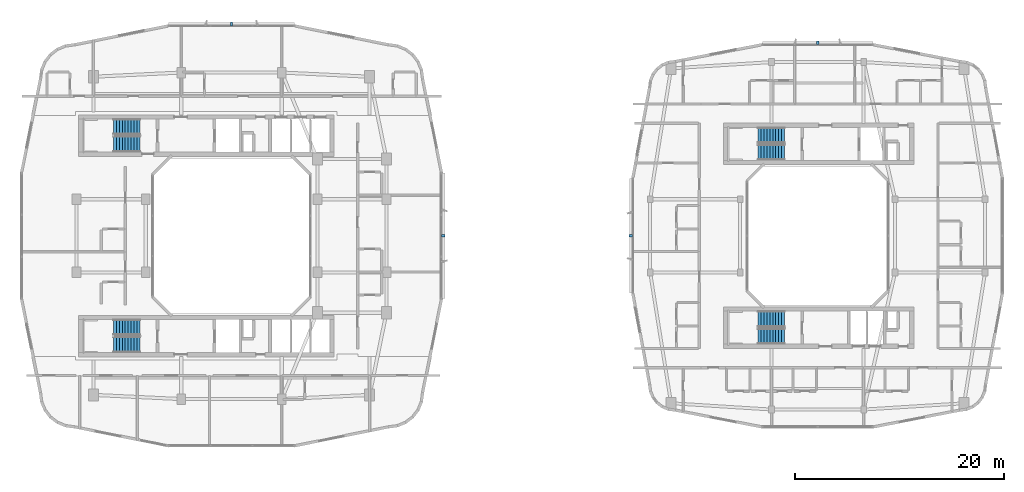
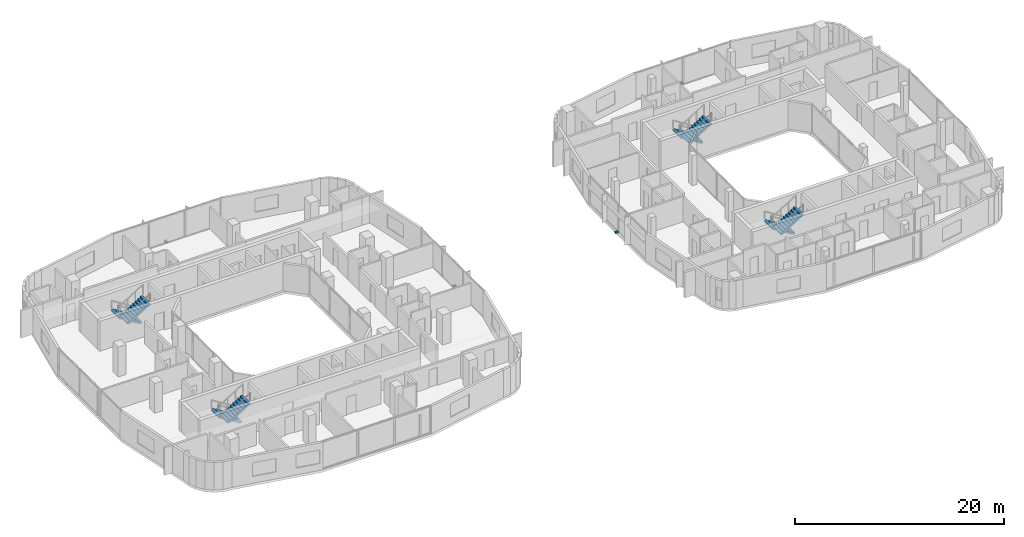
# One storey, part 21 of 26: 8 stair flights, 4 discrete accessories, 4 elements without a shape of their own.
"""IFC4 building model written with IfcOpenShell, lengths in metres."""

from ifc_helpers import new_model, si_unit, derived_unit, direction, frame, origin, origin_2d, place, context, subcontext, project, spatial, polyline, rectangle, outline, extrude, material, type_object, element, aggregate, save


model = new_model("IFC4")

# Units and contexts
model_context = context("Model", 3, precision=1e-05, world=origin(), true_north=direction((0.0, 1.0)))
body_context = subcontext(model_context, "Body", "Model", "MODEL_VIEW")
ifc_project = project(units=[si_unit("LENGTHUNIT", "METRE"), si_unit("AREAUNIT", "SQUARE_METRE"), si_unit("VOLUMEUNIT", "CUBIC_METRE"), si_unit("PLANEANGLEUNIT", "RADIAN"), si_unit("MASSUNIT", "GRAM", prefix="KILO"), derived_unit("THERMALTRANSMITTANCEUNIT", [(si_unit("POWERUNIT", "WATT"), 1), (si_unit("LENGTHUNIT", "METRE"), -2), (si_unit("THERMODYNAMICTEMPERATUREUNIT", "KELVIN"), -1)])], contexts=[model_context])

# Site, building, storey
site_placement = place(None, origin())
site = spatial("IfcSite", under=ifc_project, at=site_placement, CompositionType="ELEMENT")
building_placement = place(site_placement, origin())
building = spatial("IfcBuilding", under=site, at=building_placement, Name="Kivonza Crest Hotel", CompositionType="ELEMENT")
storey_placement = place(building_placement, frame((0.0, 0.0, 109.0)))
storey = spatial("IfcBuildingStorey", under=building, at=storey_placement, Name="L29", CompositionType="ELEMENT", Elevation=109.0)

# Stair, stair flights
ifc_material_1 = material(Name="Concrete C40/50", Category="concrete")
stair_type = type_object("IfcStairType", Name="ST-DL-20R", PredefinedType="HALF_TURN_STAIR", material=ifc_material_1)
stair_1_placement = place(storey_placement, origin())
stair_1 = element("IfcStair", 1, at=stair_1_placement, inside=storey, type_object=stair_type, Name="L29 Protected Exit Stair ST-T1-N", PredefinedType="HALF_TURN_STAIR")
stair_flight_type = type_object("IfcStairFlightType", Name="SFL-RC-10R", PredefinedType="STRAIGHT", material=ifc_material_1)
stair_flight_1_placement = place(storey_placement, frame((12.239990234375, 35.409912109375, 0.0), z_axis=(0.0, 0.0, 1.0), x_axis=(-1.0, 0.0, 0.0)))
stair_flight_1 = element("IfcStairFlight", 2, at=stair_flight_1_placement, type_object=stair_flight_type, Name="ST-T1-N flight 1", NumberOfRisers=10, NumberOfTreads=9, PredefinedType="STRAIGHT", RiserHeight=0.175, TreadLength=0.28, context=body_context, shape_type="SweptSolid", body=[
    extrude(outline(polyline([(0.0, 0.0), (0.0, 0.175048828125), (0.280029296875, 0.175048828125), (0.280029296875, 0.35009765625), (0.56005859375, 0.35009765625), (0.56005859375, 0.52490234375), (0.840087890625, 0.52490234375), (0.840087890625, 0.699951171875), (1.1201171875, 0.699951171875), (1.1201171875, 0.875), (1.39990234375, 0.875), (1.39990234375, 1.050048828125), (1.679931640625, 1.050048828125), (1.679931640625, 1.22509765625), (1.9599609375, 1.22509765625), (1.9599609375, 1.39990234375), (2.239990234375, 1.39990234375), (2.239990234375, 1.574951171875), (2.52001953125, 1.574951171875), (2.52001953125, 1.75), (2.52001953125, 1.398193359375), (0.28271484375, 0.0), (0.0, 0.0)])), frame((0.0, 0.75, 0.0), z_axis=(0.0, -1.0, 0.0), x_axis=(1.0, 0.0, 0.0)), (0.0, 0.0, 1.0), 1.5),
])
stair_flight_2_placement = place(storey_placement, frame((9.719970703125, 33.77001953125, 1.75), z_axis=(0.0, 0.0, 1.0), x_axis=(1.0, 0.0, 0.0)))
stair_flight_2 = element("IfcStairFlight", 3, at=stair_flight_2_placement, type_object=stair_flight_type, Name="ST-T1-N flight 2", NumberOfRisers=10, NumberOfTreads=9, PredefinedType="STRAIGHT", RiserHeight=0.175, TreadLength=0.28, context=body_context, shape_type="SweptSolid", body=[
    extrude(outline(polyline([(0.0, 0.0), (0.0, 0.175048828125), (0.280029296875, 0.175048828125), (0.280029296875, 0.35009765625), (0.56005859375, 0.35009765625), (0.56005859375, 0.52490234375), (0.840087890625, 0.52490234375), (0.840087890625, 0.699951171875), (1.1201171875, 0.699951171875), (1.1201171875, 0.875), (1.39990234375, 0.875), (1.39990234375, 1.050048828125), (1.679931640625, 1.050048828125), (1.679931640625, 1.22509765625), (1.9599609375, 1.22509765625), (1.9599609375, 1.39990234375), (2.239990234375, 1.39990234375), (2.239990234375, 1.574951171875), (2.52001953125, 1.574951171875), (2.52001953125, 1.75), (2.52001953125, 1.398193359375), (0.28271484375, 0.0), (0.0, 0.0)])), frame((0.0, 0.75, 0.0), z_axis=(0.0, -1.0, 0.0), x_axis=(1.0, 0.0, 0.0)), (0.0, 0.0, 1.0), 1.5),
])
aggregate(stair_1, [stair_flight_1, stair_flight_2])

stair_2_placement = place(storey_placement, origin())
stair_2 = element("IfcStair", 4, at=stair_2_placement, inside=storey, type_object=stair_type, Name="L29 Protected Exit Stair ST-T1-S", PredefinedType="HALF_TURN_STAIR")
stair_flight_3_placement = place(storey_placement, frame((12.239990234375, 16.25, 0.0), z_axis=(0.0, 0.0, 1.0), x_axis=(-1.0, 0.0, 0.0)))
stair_flight_3 = element("IfcStairFlight", 5, at=stair_flight_3_placement, type_object=stair_flight_type, Name="ST-T1-S flight 1", NumberOfRisers=10, NumberOfTreads=9, PredefinedType="STRAIGHT", RiserHeight=0.175, TreadLength=0.28, context=body_context, shape_type="SweptSolid", body=[
    extrude(outline(polyline([(0.0, 0.0), (0.0, 0.175048828125), (0.280029296875, 0.175048828125), (0.280029296875, 0.35009765625), (0.56005859375, 0.35009765625), (0.56005859375, 0.52490234375), (0.840087890625, 0.52490234375), (0.840087890625, 0.699951171875), (1.1201171875, 0.699951171875), (1.1201171875, 0.875), (1.39990234375, 0.875), (1.39990234375, 1.050048828125), (1.679931640625, 1.050048828125), (1.679931640625, 1.22509765625), (1.9599609375, 1.22509765625), (1.9599609375, 1.39990234375), (2.239990234375, 1.39990234375), (2.239990234375, 1.574951171875), (2.52001953125, 1.574951171875), (2.52001953125, 1.75), (2.52001953125, 1.398193359375), (0.28271484375, 0.0), (0.0, 0.0)])), frame((0.0, 0.75, 0.0), z_axis=(0.0, -1.0, 0.0), x_axis=(1.0, 0.0, 0.0)), (0.0, 0.0, 1.0), 1.5),
])
stair_flight_4_placement = place(storey_placement, frame((9.719970703125, 14.610107421875, 1.75), z_axis=(0.0, 0.0, 1.0), x_axis=(1.0, 0.0, 0.0)))
stair_flight_4 = element("IfcStairFlight", 6, at=stair_flight_4_placement, type_object=stair_flight_type, Name="ST-T1-S flight 2", NumberOfRisers=10, NumberOfTreads=9, PredefinedType="STRAIGHT", RiserHeight=0.175, TreadLength=0.28, context=body_context, shape_type="SweptSolid", body=[
    extrude(outline(polyline([(0.0, 0.0), (0.0, 0.175048828125), (0.280029296875, 0.175048828125), (0.280029296875, 0.35009765625), (0.56005859375, 0.35009765625), (0.56005859375, 0.52490234375), (0.840087890625, 0.52490234375), (0.840087890625, 0.699951171875), (1.1201171875, 0.699951171875), (1.1201171875, 0.875), (1.39990234375, 0.875), (1.39990234375, 1.050048828125), (1.679931640625, 1.050048828125), (1.679931640625, 1.22509765625), (1.9599609375, 1.22509765625), (1.9599609375, 1.39990234375), (2.239990234375, 1.39990234375), (2.239990234375, 1.574951171875), (2.52001953125, 1.574951171875), (2.52001953125, 1.75), (2.52001953125, 1.398193359375), (0.28271484375, 0.0), (0.0, 0.0)])), frame((0.0, 0.75, 0.0), z_axis=(0.0, -1.0, 0.0), x_axis=(1.0, 0.0, 0.0)), (0.0, 0.0, 1.0), 1.5),
])
aggregate(stair_2, [stair_flight_3, stair_flight_4])

stair_3_placement = place(storey_placement, origin())
stair_3 = element("IfcStair", 7, at=stair_3_placement, inside=storey, type_object=stair_type, Name="L29 Protected Exit Stair ST-T2-N", PredefinedType="HALF_TURN_STAIR")
stair_flight_5_placement = place(storey_placement, frame((73.840087890625, 34.610107421875, 0.0), z_axis=(0.0, 0.0, 1.0), x_axis=(-1.0, 0.0, 0.0)))
stair_flight_5 = element("IfcStairFlight", 8, at=stair_flight_5_placement, type_object=stair_flight_type, Name="ST-T2-N flight 1", NumberOfRisers=10, NumberOfTreads=9, PredefinedType="STRAIGHT", RiserHeight=0.175, TreadLength=0.28, context=body_context, shape_type="SweptSolid", body=[
    extrude(outline(polyline([(0.0, 0.0), (0.0, 0.175048828125), (0.280029296875, 0.175048828125), (0.280029296875, 0.35009765625), (0.56005859375, 0.35009765625), (0.56005859375, 0.52490234375), (0.840087890625, 0.52490234375), (0.840087890625, 0.699951171875), (1.1201171875, 0.699951171875), (1.1201171875, 0.875), (1.39990234375, 0.875), (1.39990234375, 1.050048828125), (1.679931640625, 1.050048828125), (1.679931640625, 1.22509765625), (1.9599609375, 1.22509765625), (1.9599609375, 1.39990234375), (2.239990234375, 1.39990234375), (2.239990234375, 1.574951171875), (2.52001953125, 1.574951171875), (2.52001953125, 1.75), (2.52001953125, 1.398193359375), (0.28271484375, 0.0), (0.0, 0.0)])), frame((0.0, 0.75, 0.0), z_axis=(0.0, -1.0, 0.0), x_axis=(1.0, 0.0, 0.0)), (0.0, 0.0, 1.0), 1.5),
])
stair_flight_6_placement = place(storey_placement, frame((71.320068359375, 32.969970703125, 1.75), z_axis=(0.0, 0.0, 1.0), x_axis=(1.0, 0.0, 0.0)))
stair_flight_6 = element("IfcStairFlight", 9, at=stair_flight_6_placement, type_object=stair_flight_type, Name="ST-T2-N flight 2", NumberOfRisers=10, NumberOfTreads=9, PredefinedType="STRAIGHT", RiserHeight=0.175, TreadLength=0.28, context=body_context, shape_type="SweptSolid", body=[
    extrude(outline(polyline([(0.0, 0.0), (0.0, 0.175048828125), (0.280029296875, 0.175048828125), (0.280029296875, 0.35009765625), (0.56005859375, 0.35009765625), (0.56005859375, 0.52490234375), (0.840087890625, 0.52490234375), (0.840087890625, 0.699951171875), (1.1201171875, 0.699951171875), (1.1201171875, 0.875), (1.39990234375, 0.875), (1.39990234375, 1.050048828125), (1.679931640625, 1.050048828125), (1.679931640625, 1.22509765625), (1.9599609375, 1.22509765625), (1.9599609375, 1.39990234375), (2.239990234375, 1.39990234375), (2.239990234375, 1.574951171875), (2.52001953125, 1.574951171875), (2.52001953125, 1.75), (2.52001953125, 1.398193359375), (0.28271484375, 0.0), (0.0, 0.0)])), frame((0.0, 0.75, 0.0), z_axis=(0.0, -1.0, 0.0), x_axis=(1.0, 0.0, 0.0)), (0.0, 0.0, 1.0), 1.5),
])
aggregate(stair_3, [stair_flight_5, stair_flight_6])

stair_4_placement = place(storey_placement, origin())
stair_4 = element("IfcStair", 10, at=stair_4_placement, inside=storey, type_object=stair_type, Name="L29 Protected Exit Stair ST-T2-S", PredefinedType="HALF_TURN_STAIR")
stair_flight_7_placement = place(storey_placement, frame((73.840087890625, 17.050048828125, 0.0), z_axis=(0.0, 0.0, 1.0), x_axis=(-1.0, 0.0, 0.0)))
stair_flight_7 = element("IfcStairFlight", 11, at=stair_flight_7_placement, type_object=stair_flight_type, Name="ST-T2-S flight 1", NumberOfRisers=10, NumberOfTreads=9, PredefinedType="STRAIGHT", RiserHeight=0.175, TreadLength=0.28, context=body_context, shape_type="SweptSolid", body=[
    extrude(outline(polyline([(0.0, 0.0), (0.0, 0.175048828125), (0.280029296875, 0.175048828125), (0.280029296875, 0.35009765625), (0.56005859375, 0.35009765625), (0.56005859375, 0.52490234375), (0.840087890625, 0.52490234375), (0.840087890625, 0.699951171875), (1.1201171875, 0.699951171875), (1.1201171875, 0.875), (1.39990234375, 0.875), (1.39990234375, 1.050048828125), (1.679931640625, 1.050048828125), (1.679931640625, 1.22509765625), (1.9599609375, 1.22509765625), (1.9599609375, 1.39990234375), (2.239990234375, 1.39990234375), (2.239990234375, 1.574951171875), (2.52001953125, 1.574951171875), (2.52001953125, 1.75), (2.52001953125, 1.398193359375), (0.28271484375, 0.0), (0.0, 0.0)])), frame((0.0, 0.75, 0.0), z_axis=(0.0, -1.0, 0.0), x_axis=(1.0, 0.0, 0.0)), (0.0, 0.0, 1.0), 1.5),
])
stair_flight_8_placement = place(storey_placement, frame((71.320068359375, 15.409912109375, 1.75), z_axis=(0.0, 0.0, 1.0), x_axis=(1.0, 0.0, 0.0)))
stair_flight_8 = element("IfcStairFlight", 12, at=stair_flight_8_placement, type_object=stair_flight_type, Name="ST-T2-S flight 2", NumberOfRisers=10, NumberOfTreads=9, PredefinedType="STRAIGHT", RiserHeight=0.175, TreadLength=0.28, context=body_context, shape_type="SweptSolid", body=[
    extrude(outline(polyline([(0.0, 0.0), (0.0, 0.175048828125), (0.280029296875, 0.175048828125), (0.280029296875, 0.35009765625), (0.56005859375, 0.35009765625), (0.56005859375, 0.52490234375), (0.840087890625, 0.52490234375), (0.840087890625, 0.699951171875), (1.1201171875, 0.699951171875), (1.1201171875, 0.875), (1.39990234375, 0.875), (1.39990234375, 1.050048828125), (1.679931640625, 1.050048828125), (1.679931640625, 1.22509765625), (1.9599609375, 1.22509765625), (1.9599609375, 1.39990234375), (2.239990234375, 1.39990234375), (2.239990234375, 1.574951171875), (2.52001953125, 1.574951171875), (2.52001953125, 1.75), (2.52001953125, 1.398193359375), (0.28271484375, 0.0), (0.0, 0.0)])), frame((0.0, 0.75, 0.0), z_axis=(0.0, -1.0, 0.0), x_axis=(1.0, 0.0, 0.0)), (0.0, 0.0, 1.0), 1.5),
])
aggregate(stair_4, [stair_flight_7, stair_flight_8])

# Discrete accessories
ifc_material_2 = material(Name="Stainless steel 316", Category="steel")
discrete_accessory_type = type_object("IfcDiscreteAccessoryType", Name="AC-BRACKET-240", PredefinedType="BRACKET", material=ifc_material_2)
for number, where, z_axis, x_axis, name in (
    (13, (41.239990234375, 25.0, -0.009765625), (0.0, 0.0, 1.0), (0.0, 1.0, 0.0), "L29 terracotta baguette support bracket CW-T1-L29-17"),
    (14, (21.0, 45.239990234375, -0.009765625), (0.0, 0.0, 1.0), (-1.0, 0.0, 0.0), "L29 terracotta baguette support bracket CW-T1-L29-26"),
    (15, (77.0, 43.43994140625, -0.009765625), (0.0, 0.0, 1.0), (-1.0, 0.0, 0.0), "L29 terracotta baguette support bracket CW-T2-L29-26"),
    (16, (59.159912109375, 25.0, -0.009765625), (0.0, 0.0, 1.0), (0.0, -1.0, 0.0), "L29 terracotta baguette support bracket CW-T2-L29-35"),
):
    element("IfcDiscreteAccessory", number, at=place(storey_placement, frame(where, z_axis=z_axis, x_axis=x_axis)), inside=storey, type_object=discrete_accessory_type, Name=name, PredefinedType="BRACKET", context=body_context, shape_type="SweptSolid", body=[
        extrude(rectangle(XDim=0.219970703125, YDim=0.340087890625, at=origin_2d()), origin(), (0.0, 0.0, 1.0), 0.179931640625),
    ])

save(model, "model.ifc")
